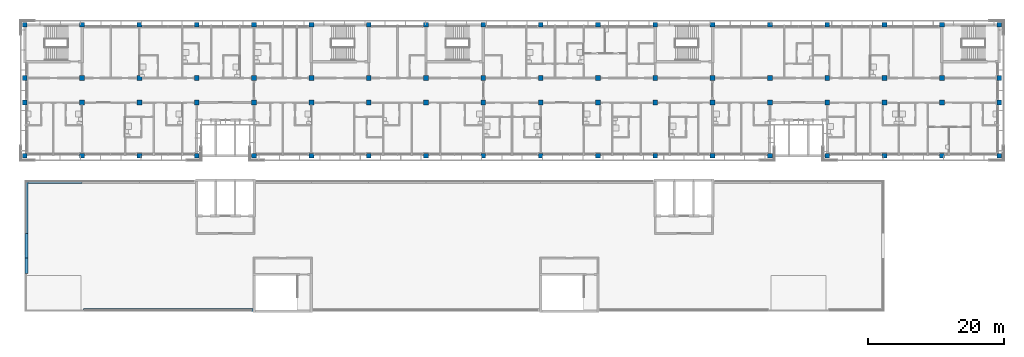
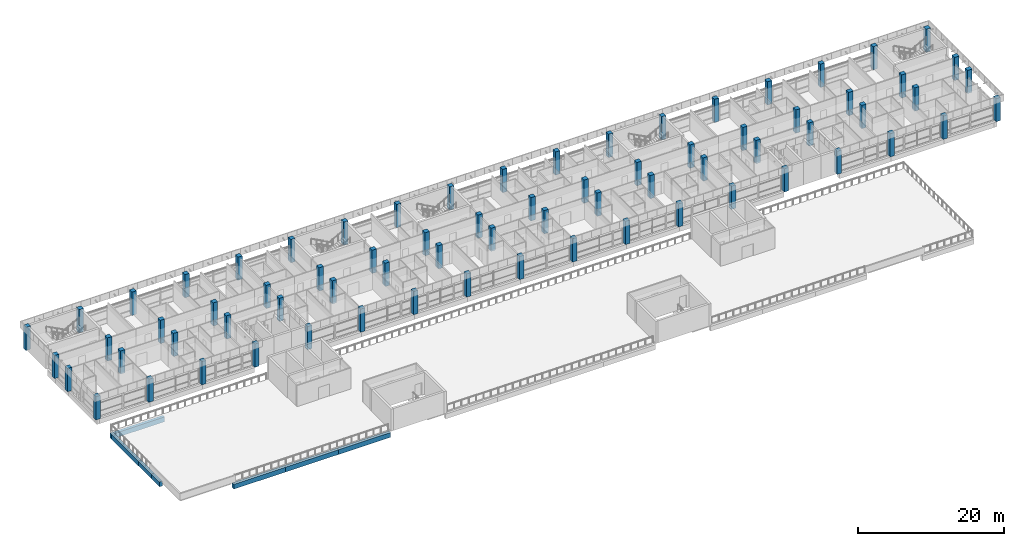
# One storey, part 1 of 46: 72 columns, 7 beams.
"""IFC4 building model written with IfcOpenShell, lengths in metres."""

import ifcopenshell
import ifcopenshell.guid

model = None  # the IFC model being written
_history = None  # IfcOwnerHistory: only IFC2X3 demands one
_inside = {}  # id of a spatial element -> (the spatial element, [elements in it])
_under = {}  # id of a project, library or spatial element -> (it, [spatial elements below it])
_declared = {}  # id of a project -> (the project, [libraries it declares])
_typed = {}  # id of a type object -> (the type object, [elements of that type])
_made_of = {}  # id of a material, layer set ... -> (it, [elements and type objects made of it])


def new_model(schema):
    """Start an empty IFC model of exactly this schema.

    Asked for "IFC4X3", IfcOpenShell would pick the latest addendum, in which some entities
    have other attributes; the version numbers below select the first issue.
    IFC2X3 requires an IfcOwnerHistory on every rooted entity: one is made here for all.
    """
    global model, _history
    if schema == "IFC4X3":
        model = ifcopenshell.file(schema_version=(4, 3, 0, 0))
    else:
        model = ifcopenshell.file(schema=schema)
    _inside.clear()
    _under.clear()
    _declared.clear()
    _typed.clear()
    _made_of.clear()
    _history = None
    if model.schema == "IFC2X3":
        org = make("IfcOrganization", Name="unknown")
        user = make(
            "IfcPersonAndOrganization",
            ThePerson=make("IfcPerson", FamilyName="unknown"),
            TheOrganization=org,
        )
        app = make(
            "IfcApplication",
            ApplicationDeveloper=org,
            Version="unknown",
            ApplicationFullName="unknown",
            ApplicationIdentifier="unknown",
        )
        _history = make(
            "IfcOwnerHistory",
            OwningUser=user,
            OwningApplication=app,
            ChangeAction="ADDED",
            CreationDate=0,
        )
    return model


def make(cls, **values):
    """One entity of the class cls with the attributes given. An attribute that is None is left unset."""
    return model.create_entity(
        cls, **{name: value for name, value in values.items() if value is not None}
    )


def rooted(cls, **values):
    """An entity with a GlobalId (a new one), such as an element, a storey or a relation."""
    return make(cls, GlobalId=ifcopenshell.guid.new(), OwnerHistory=_history, **values)


def si_unit(unit_type, name, prefix=None):
    """IfcSIUnit, for example si_unit("LENGTHUNIT", "METRE", prefix="MILLI")."""
    return make("IfcSIUnit", UnitType=unit_type, Prefix=prefix, Name=name)


def assignment(units):
    """IfcUnitAssignment: the units of a project."""
    return None if units is None else make("IfcUnitAssignment", Units=units)


def point(xyz):
    """IfcCartesianPoint."""
    return None if xyz is None else make("IfcCartesianPoint", Coordinates=xyz)


def direction(xyz):
    """IfcDirection."""
    return None if xyz is None else make("IfcDirection", DirectionRatios=xyz)


def frame(location, z_axis=None, x_axis=None):
    """IfcAxis2Placement3D, a coordinate frame: its origin and axes. An axis left out is left unset."""
    return make(
        "IfcAxis2Placement3D",
        Location=point(location),
        Axis=direction(z_axis),
        RefDirection=direction(x_axis),
    )


def frame_2d(location, x_axis=None):
    """IfcAxis2Placement2D, a coordinate frame in the plane: its origin and x axis."""
    return make(
        "IfcAxis2Placement2D", Location=point(location), RefDirection=direction(x_axis)
    )


def origin():
    """The frame at (0, 0, 0) with its axes left unset."""
    return frame((0.0, 0.0, 0.0))


def origin_2d():
    """The frame at (0, 0) in the plane with its x axis left unset."""
    return frame_2d((0.0, 0.0))


def place(relative_to, where):
    """IfcLocalPlacement: puts the frame where relative to a parent placement (None: the world)."""
    return make(
        "IfcLocalPlacement", PlacementRelTo=relative_to, RelativePlacement=where
    )


def context(
    kind, dimensions, precision=None, world=None, true_north=None, identifier=None
):
    """IfcGeometricRepresentationContext, for example the 3D "Model" context."""
    return make(
        "IfcGeometricRepresentationContext",
        ContextIdentifier=identifier,
        ContextType=kind,
        CoordinateSpaceDimension=dimensions,
        Precision=precision,
        WorldCoordinateSystem=world,
        TrueNorth=true_north,
    )


def subcontext(parent, identifier, kind, view, scale=None):
    """IfcGeometricRepresentationSubContext, for example "Body" below "Model"."""
    return make(
        "IfcGeometricRepresentationSubContext",
        ContextIdentifier=identifier,
        ContextType=kind,
        ParentContext=parent,
        TargetScale=scale,
        TargetView=view,
    )


def project(units=None, contexts=None):
    """IfcProject with its units and contexts."""
    return rooted(
        "IfcProject",
        Name="project",
        RepresentationContexts=contexts,
        UnitsInContext=assignment(units),
    )


def spatial(cls, under=None, at=None, **own):
    """A site, building, storey or space (cls), placed at a placement, below another one or the project."""
    s = rooted(cls, ObjectPlacement=at, **own)
    if under is not None:
        _under.setdefault(under.id(), (under, []))[1].append(s)
    return s


def profile(cls, at=None, kind="AREA", **sizes):
    """A parametric profile (cls). Its sizes go by their IFC names, for example OverallWidth=200.0."""
    return make(cls, ProfileType=kind, Position=at, **sizes)


def rectangle(**sizes):
    """IfcRectangleProfileDef."""
    return profile("IfcRectangleProfileDef", **sizes)


def extrude(swept, where, along, depth):
    """IfcExtrudedAreaSolid: the profile swept, set in the frame where, extruded along a direction by depth."""
    return make(
        "IfcExtrudedAreaSolid",
        SweptArea=swept,
        Position=where,
        ExtrudedDirection=direction(along),
        Depth=depth,
    )


def shape(context_of_items, identifier, shape_type, items):
    """IfcShapeRepresentation: the items that make up one representation, for example the "Body"."""
    return make(
        "IfcShapeRepresentation",
        ContextOfItems=context_of_items,
        RepresentationIdentifier=identifier,
        RepresentationType=shape_type,
        Items=items,
    )


def material(Name=None, Category=None):
    """IfcMaterial."""
    return make("IfcMaterial", Name=Name, Category=Category)


def material_profile(
    of_material, cross_section, Name=None, Category=None, Priority=None
):
    """IfcMaterialProfile: a cross section and its material."""
    return make(
        "IfcMaterialProfile",
        Name=Name,
        Material=of_material,
        Profile=cross_section,
        Priority=Priority,
        Category=Category,
    )


def profile_set(profiles, Name=None, composite=None):
    """IfcMaterialProfileSet."""
    return make(
        "IfcMaterialProfileSet",
        Name=Name,
        MaterialProfiles=profiles,
        CompositeProfile=composite,
    )


def made_of(thing, what):
    """Note that an element or type object is made of a material, layer set ...; save() writes the relation."""
    if what is not None:
        _made_of.setdefault(what.id(), (what, []))[1].append(thing)
    return thing


def type_object(cls, material=None, **own):
    """A type object (cls), such as IfcWallType, which elements share."""
    return made_of(rooted(cls, **own), material)


def element(
    cls,
    number,
    at=None,
    inside=None,
    cuts=None,
    type_object=None,
    material=None,
    context=None,
    identifier="Body",
    shape_type=None,
    held_by="IfcProductDefinitionShape",
    body=None,
    shapes=None,
    **own,
):
    """One element of the class cls, such as IfcWall. Its Tag is "e" and its number.

    at: its placement. inside: the storey or other place that contains it. cuts: it is an
    opening in that element (IfcRelVoidsElement). A single representation is given by context,
    identifier, shape_type and body (its items); several are given by shapes. held_by: the class
    of the entity that holds the representations. save() writes the other relations.
    """
    e = rooted(cls, Tag="e%d" % number, ObjectPlacement=at, **own)
    if body is not None:
        shapes = [shape(context, identifier, shape_type, body)]
    if shapes is not None:
        e.Representation = make(held_by, Representations=shapes)
    if inside is not None:
        _inside.setdefault(inside.id(), (inside, []))[1].append(e)
    if cuts is not None:
        rooted(
            "IfcRelVoidsElement", RelatingBuildingElement=cuts, RelatedOpeningElement=e
        )
    if type_object is not None:
        _typed.setdefault(type_object.id(), (type_object, []))[1].append(e)
    return made_of(e, material)


def aggregate(whole, parts):
    """IfcRelAggregates: a whole, such as a stair, and the parts it consists of."""
    return rooted("IfcRelAggregates", RelatingObject=whole, RelatedObjects=parts)


def save(model, path):
    """Write the relations noted so far, then the file.

    IfcRelAggregates (storeys below a building ...), IfcRelContainedInSpatialStructure (elements
    in a storey), IfcRelDefinesByType, IfcRelAssociatesMaterial and IfcRelDeclares: one each for
    every whole, place, type object, material and project.
    """
    for whole, parts in _under.values():
        aggregate(whole, parts)
    for where, things in _inside.values():
        rooted(
            "IfcRelContainedInSpatialStructure",
            RelatedElements=things,
            RelatingStructure=where,
        )
    for kind, things in _typed.values():
        rooted("IfcRelDefinesByType", RelatedObjects=things, RelatingType=kind)
    for what, things in _made_of.values():
        rooted("IfcRelAssociatesMaterial", RelatedObjects=things, RelatingMaterial=what)
    for by, libraries in _declared.values():
        rooted("IfcRelDeclares", RelatingContext=by, RelatedDefinitions=libraries)
    model.write(path)


model = new_model("IFC4")

# Units and contexts
model_context = context("Model", 3, precision=1e-05, world=origin(), true_north=direction((0.0, 1.0)))
body_context = subcontext(model_context, "Body", "Model", "MODEL_VIEW")
ifc_project = project(units=[si_unit("LENGTHUNIT", "METRE"), si_unit("AREAUNIT", "SQUARE_METRE"), si_unit("VOLUMEUNIT", "CUBIC_METRE"), si_unit("PLANEANGLEUNIT", "RADIAN"), si_unit("MASSUNIT", "GRAM", prefix="KILO")], contexts=[model_context])

# Site, building, storey
site_placement = place(None, origin())
site = spatial("IfcSite", under=ifc_project, at=site_placement, CompositionType="ELEMENT")
building_placement = place(site_placement, origin())
building = spatial("IfcBuilding", under=site, at=building_placement, Name="Bougainvillea Quay General Hospital", CompositionType="ELEMENT")
storey_placement = place(building_placement, frame((0.0, 0.0, 28.800048828125)))
storey = spatial("IfcBuildingStorey", under=building, at=storey_placement, Name="L06", CompositionType="ELEMENT", Elevation=28.800048828125)

# Columns
ifc_material = material(Name="Concrete C40", Category="concrete")
ifc_material_profile_1 = material_profile(ifc_material, rectangle(XDim=0.699951171875, YDim=0.699951171875, at=origin_2d()))
ifc_profile_set_1 = profile_set([ifc_material_profile_1], Name="Concrete C40")
column_type = type_object("IfcColumnType", Name="RC COL 700x700 C40", PredefinedType="COLUMN", material=ifc_profile_set_1)
for number, where, z_axis, x_axis, name in (
    (1, (42.0, 140.39990234375, 0.0), (0.0, 0.0, 1.0), (1.0, 0.0, 0.0), "Column C-V4-004 L06"),
    (2, (42.0, 148.199951171875, 0.0), (0.0, 0.0, 1.0), (1.0, 0.0, 0.0), "Column C-V4-005 L06"),
    (3, (42.0, 151.800048828125, 0.0), (0.0, 0.0, 1.0), (1.0, 0.0, 0.0), "Column C-V4-006 L06"),
    (4, (42.0, 159.60009765625, 0.0), (0.0, 0.0, 1.0), (1.0, 0.0, 0.0), "Column C-V4-007 L06"),
    (5, (50.39990234375, 140.39990234375, 0.0), (0.0, 0.0, 1.0), (1.0, 0.0, 0.0), "Column C-V4-014 L06"),
    (6, (50.39990234375, 148.199951171875, 0.0), (0.0, 0.0, 1.0), (1.0, 0.0, 0.0), "Column C-V4-015 L06"),
    (7, (50.39990234375, 151.800048828125, 0.0), (0.0, 0.0, 1.0), (1.0, 0.0, 0.0), "Column C-V4-016 L06"),
    (8, (50.39990234375, 159.60009765625, 0.0), (0.0, 0.0, 1.0), (1.0, 0.0, 0.0), "Column C-V4-017 L06"),
    (9, (58.800048828125, 140.39990234375, 0.0), (0.0, 0.0, 1.0), (1.0, 0.0, 0.0), "Column C-V4-024 L06"),
    (10, (58.800048828125, 148.199951171875, 0.0), (0.0, 0.0, 1.0), (1.0, 0.0, 0.0), "Column C-V4-025 L06"),
    (11, (58.800048828125, 151.800048828125, 0.0), (0.0, 0.0, 1.0), (1.0, 0.0, 0.0), "Column C-V4-026 L06"),
    (12, (58.800048828125, 159.60009765625, 0.0), (0.0, 0.0, 1.0), (1.0, 0.0, 0.0), "Column C-V4-027 L06"),
    (13, (67.199951171875, 140.39990234375, 0.0), (0.0, 0.0, 1.0), (1.0, 0.0, 0.0), "Column C-V4-034 L06"),
    (14, (67.199951171875, 148.199951171875, 0.0), (0.0, 0.0, 1.0), (1.0, 0.0, 0.0), "Column C-V4-035 L06"),
    (15, (67.199951171875, 151.800048828125, 0.0), (0.0, 0.0, 1.0), (1.0, 0.0, 0.0), "Column C-V4-036 L06"),
    (16, (67.199951171875, 159.60009765625, 0.0), (0.0, 0.0, 1.0), (1.0, 0.0, 0.0), "Column C-V4-037 L06"),
    (17, (75.60009765625, 140.39990234375, 0.0), (0.0, 0.0, 1.0), (1.0, 0.0, 0.0), "Column C-V4-044 L06"),
    (18, (75.60009765625, 148.199951171875, 0.0), (0.0, 0.0, 1.0), (1.0, 0.0, 0.0), "Column C-V4-045 L06"),
    (19, (75.60009765625, 151.800048828125, 0.0), (0.0, 0.0, 1.0), (1.0, 0.0, 0.0), "Column C-V4-046 L06"),
    (20, (75.60009765625, 159.60009765625, 0.0), (0.0, 0.0, 1.0), (1.0, 0.0, 0.0), "Column C-V4-047 L06"),
    (21, (84.0, 140.39990234375, 0.0), (0.0, 0.0, 1.0), (1.0, 0.0, 0.0), "Column C-V4-054 L06"),
    (22, (84.0, 148.199951171875, 0.0), (0.0, 0.0, 1.0), (1.0, 0.0, 0.0), "Column C-V4-055 L06"),
    (23, (84.0, 151.800048828125, 0.0), (0.0, 0.0, 1.0), (1.0, 0.0, 0.0), "Column C-V4-056 L06"),
    (24, (84.0, 159.60009765625, 0.0), (0.0, 0.0, 1.0), (1.0, 0.0, 0.0), "Column C-V4-057 L06"),
    (25, (92.39990234375, 140.39990234375, 0.0), (0.0, 0.0, 1.0), (1.0, 0.0, 0.0), "Column C-V4-064 L06"),
    (26, (92.39990234375, 148.199951171875, 0.0), (0.0, 0.0, 1.0), (1.0, 0.0, 0.0), "Column C-V4-065 L06"),
    (27, (92.39990234375, 151.800048828125, 0.0), (0.0, 0.0, 1.0), (1.0, 0.0, 0.0), "Column C-V4-066 L06"),
    (28, (92.39990234375, 159.60009765625, 0.0), (0.0, 0.0, 1.0), (1.0, 0.0, 0.0), "Column C-V4-067 L06"),
    (29, (100.800048828125, 140.39990234375, 0.0), (0.0, 0.0, 1.0), (1.0, 0.0, 0.0), "Column C-V4-074 L06"),
    (30, (100.800048828125, 148.199951171875, 0.0), (0.0, 0.0, 1.0), (1.0, 0.0, 0.0), "Column C-V4-075 L06"),
    (31, (100.800048828125, 151.800048828125, 0.0), (0.0, 0.0, 1.0), (1.0, 0.0, 0.0), "Column C-V4-076 L06"),
    (32, (100.800048828125, 159.60009765625, 0.0), (0.0, 0.0, 1.0), (1.0, 0.0, 0.0), "Column C-V4-077 L06"),
    (33, (109.199951171875, 140.39990234375, 0.0), (0.0, 0.0, 1.0), (1.0, 0.0, 0.0), "Column C-V4-084 L06"),
    (34, (109.199951171875, 148.199951171875, 0.0), (0.0, 0.0, 1.0), (1.0, 0.0, 0.0), "Column C-V4-085 L06"),
    (35, (109.199951171875, 151.800048828125, 0.0), (0.0, 0.0, 1.0), (1.0, 0.0, 0.0), "Column C-V4-086 L06"),
    (36, (109.199951171875, 159.60009765625, 0.0), (0.0, 0.0, 1.0), (1.0, 0.0, 0.0), "Column C-V4-087 L06"),
    (37, (117.60009765625, 140.39990234375, 0.0), (0.0, 0.0, 1.0), (1.0, 0.0, 0.0), "Column C-V4-094 L06"),
    (38, (117.60009765625, 148.199951171875, 0.0), (0.0, 0.0, 1.0), (1.0, 0.0, 0.0), "Column C-V4-095 L06"),
    (39, (117.60009765625, 151.800048828125, 0.0), (0.0, 0.0, 1.0), (1.0, 0.0, 0.0), "Column C-V4-096 L06"),
    (40, (117.60009765625, 159.60009765625, 0.0), (0.0, 0.0, 1.0), (1.0, 0.0, 0.0), "Column C-V4-097 L06"),
    (41, (126.0, 140.39990234375, 0.0), (0.0, 0.0, 1.0), (1.0, 0.0, 0.0), "Column C-V4-104 L06"),
    (42, (126.0, 148.199951171875, 0.0), (0.0, 0.0, 1.0), (1.0, 0.0, 0.0), "Column C-V4-105 L06"),
    (43, (126.0, 151.800048828125, 0.0), (0.0, 0.0, 1.0), (1.0, 0.0, 0.0), "Column C-V4-106 L06"),
    (44, (126.0, 159.60009765625, 0.0), (0.0, 0.0, 1.0), (1.0, 0.0, 0.0), "Column C-V4-107 L06"),
    (45, (134.39990234375, 140.39990234375, 0.0), (0.0, 0.0, 1.0), (1.0, 0.0, 0.0), "Column C-V4-114 L06"),
    (46, (134.39990234375, 148.199951171875, 0.0), (0.0, 0.0, 1.0), (1.0, 0.0, 0.0), "Column C-V4-115 L06"),
    (47, (134.39990234375, 151.800048828125, 0.0), (0.0, 0.0, 1.0), (1.0, 0.0, 0.0), "Column C-V4-116 L06"),
    (48, (134.39990234375, 159.60009765625, 0.0), (0.0, 0.0, 1.0), (1.0, 0.0, 0.0), "Column C-V4-117 L06"),
    (49, (142.800048828125, 140.39990234375, 0.0), (0.0, 0.0, 1.0), (1.0, 0.0, 0.0), "Column C-V4-124 L06"),
    (50, (142.800048828125, 148.199951171875, 0.0), (0.0, 0.0, 1.0), (1.0, 0.0, 0.0), "Column C-V4-125 L06"),
    (51, (142.800048828125, 151.800048828125, 0.0), (0.0, 0.0, 1.0), (1.0, 0.0, 0.0), "Column C-V4-126 L06"),
    (52, (142.800048828125, 159.60009765625, 0.0), (0.0, 0.0, 1.0), (1.0, 0.0, 0.0), "Column C-V4-127 L06"),
    (53, (151.199951171875, 140.39990234375, 0.0), (0.0, 0.0, 1.0), (1.0, 0.0, 0.0), "Column C-V4-134 L06"),
    (54, (151.199951171875, 148.199951171875, 0.0), (0.0, 0.0, 1.0), (1.0, 0.0, 0.0), "Column C-V4-135 L06"),
    (55, (151.199951171875, 151.800048828125, 0.0), (0.0, 0.0, 1.0), (1.0, 0.0, 0.0), "Column C-V4-136 L06"),
    (56, (151.199951171875, 159.60009765625, 0.0), (0.0, 0.0, 1.0), (1.0, 0.0, 0.0), "Column C-V4-137 L06"),
    (57, (159.60009765625, 140.39990234375, 0.0), (0.0, 0.0, 1.0), (1.0, 0.0, 0.0), "Column C-V4-144 L06"),
    (58, (159.60009765625, 148.199951171875, 0.0), (0.0, 0.0, 1.0), (1.0, 0.0, 0.0), "Column C-V4-145 L06"),
    (59, (159.60009765625, 151.800048828125, 0.0), (0.0, 0.0, 1.0), (1.0, 0.0, 0.0), "Column C-V4-146 L06"),
    (60, (159.60009765625, 159.60009765625, 0.0), (0.0, 0.0, 1.0), (1.0, 0.0, 0.0), "Column C-V4-147 L06"),
    (61, (168.0, 140.39990234375, 0.0), (0.0, 0.0, 1.0), (1.0, 0.0, 0.0), "Column C-V4-154 L06"),
    (62, (168.0, 148.199951171875, 0.0), (0.0, 0.0, 1.0), (1.0, 0.0, 0.0), "Column C-V4-155 L06"),
    (63, (168.0, 151.800048828125, 0.0), (0.0, 0.0, 1.0), (1.0, 0.0, 0.0), "Column C-V4-156 L06"),
    (64, (168.0, 159.60009765625, 0.0), (0.0, 0.0, 1.0), (1.0, 0.0, 0.0), "Column C-V4-157 L06"),
    (65, (176.39990234375, 140.39990234375, 0.0), (0.0, 0.0, 1.0), (1.0, 0.0, 0.0), "Column C-V4-164 L06"),
    (66, (176.39990234375, 148.199951171875, 0.0), (0.0, 0.0, 1.0), (1.0, 0.0, 0.0), "Column C-V4-165 L06"),
    (67, (176.39990234375, 151.800048828125, 0.0), (0.0, 0.0, 1.0), (1.0, 0.0, 0.0), "Column C-V4-166 L06"),
    (68, (176.39990234375, 159.60009765625, 0.0), (0.0, 0.0, 1.0), (1.0, 0.0, 0.0), "Column C-V4-167 L06"),
    (69, (184.800048828125, 140.39990234375, 0.0), (0.0, 0.0, 1.0), (1.0, 0.0, 0.0), "Column C-V4-174 L06"),
    (70, (184.800048828125, 148.199951171875, 0.0), (0.0, 0.0, 1.0), (1.0, 0.0, 0.0), "Column C-V4-175 L06"),
    (71, (184.800048828125, 151.800048828125, 0.0), (0.0, 0.0, 1.0), (1.0, 0.0, 0.0), "Column C-V4-176 L06"),
    (72, (184.800048828125, 159.60009765625, 0.0), (0.0, 0.0, 1.0), (1.0, 0.0, 0.0), "Column C-V4-177 L06"),
):
    element("IfcColumn", number, at=place(storey_placement, frame(where, z_axis=z_axis, x_axis=x_axis)), inside=storey, type_object=column_type, Name=name, PredefinedType="COLUMN", context=body_context, shape_type="SweptSolid", body=[
        extrude(rectangle(XDim=0.699951171875, YDim=0.699951171875, at=origin_2d()), origin(), (0.0, 0.0, 1.0), 3.89990234375),
    ])

# Beams
ifc_material_profile_2 = material_profile(ifc_material, rectangle(XDim=0.449951171875, YDim=0.800048828125, at=origin_2d()))
ifc_profile_set_2 = profile_set([ifc_material_profile_2], Name="Concrete C40")
beam_type = type_object("IfcBeamType", Name="RC BEAM 450x800 C40", PredefinedType="BEAM", material=ifc_profile_set_2)
beam_1_placement = place(storey_placement, frame((50.39990234375, 136.574951171875, -0.699951171875), z_axis=(-1.0, 0.0, 0.0), x_axis=(0.0, -1.0, 0.0)))
element("IfcBeam", 73, at=beam_1_placement, inside=storey, type_object=beam_type, Name="Edge beam L06", PredefinedType="BEAM", context=body_context, shape_type="SweptSolid", body=[
    extrude(rectangle(XDim=0.449951171875, YDim=0.800048828125, at=origin_2d()), origin(), (0.0, 0.0, 1.0), 8.39990234375),
])
beam_2_placement = place(storey_placement, frame((42.22509765625, 136.800048828125, -0.699951171875), z_axis=(0.0, -1.0, 0.0), x_axis=(1.0, 0.0, 0.0)))
element("IfcBeam", 74, at=beam_2_placement, inside=storey, type_object=beam_type, Name="Edge beam L06", PredefinedType="BEAM", context=body_context, shape_type="SweptSolid", body=[
    extrude(rectangle(XDim=0.449951171875, YDim=0.800048828125, at=origin_2d()), origin(), (0.0, 0.0, 1.0), 7.800048828125),
])
beam_3_placement = place(storey_placement, frame((42.22509765625, 129.0, -0.699951171875), z_axis=(0.0, -1.0, 0.0), x_axis=(1.0, 0.0, 0.0)))
element("IfcBeam", 75, at=beam_3_placement, inside=storey, type_object=beam_type, Name="Edge beam L06", PredefinedType="BEAM", context=body_context, shape_type="SweptSolid", body=[
    extrude(rectangle(XDim=0.449951171875, YDim=0.800048828125, at=origin_2d()), origin(), (0.0, 0.0, 1.0), 3.60009765625),
])
beam_4_placement = place(storey_placement, frame((42.22509765625, 125.39990234375, -0.699951171875), z_axis=(0.0, -1.0, 0.0), x_axis=(1.0, 0.0, 0.0)))
element("IfcBeam", 76, at=beam_4_placement, inside=storey, type_object=beam_type, Name="Edge beam L06", PredefinedType="BEAM", context=body_context, shape_type="SweptSolid", body=[
    extrude(rectangle(XDim=0.449951171875, YDim=0.800048828125, at=origin_2d()), origin(), (0.0, 0.0, 1.0), 2.224853515625),
])
beam_5_placement = place(storey_placement, frame((50.574951171875, 117.824951171875, -0.699951171875), z_axis=(1.0, 0.0, 0.0), x_axis=(0.0, 1.0, 0.0)))
element("IfcBeam", 77, at=beam_5_placement, inside=storey, type_object=beam_type, Name="Edge beam L06", PredefinedType="BEAM", context=body_context, shape_type="SweptSolid", body=[
    extrude(rectangle(XDim=0.449951171875, YDim=0.800048828125, at=origin_2d()), origin(), (0.0, 0.0, 1.0), 8.22509765625),
])
beam_6_placement = place(storey_placement, frame((58.800048828125, 117.824951171875, -0.699951171875), z_axis=(1.0, 0.0, 0.0), x_axis=(0.0, 1.0, 0.0)))
element("IfcBeam", 78, at=beam_6_placement, inside=storey, type_object=beam_type, Name="Edge beam L06", PredefinedType="BEAM", context=body_context, shape_type="SweptSolid", body=[
    extrude(rectangle(XDim=0.449951171875, YDim=0.800048828125, at=origin_2d()), origin(), (0.0, 0.0, 1.0), 8.39990234375),
])
beam_7_placement = place(storey_placement, frame((67.199951171875, 117.824951171875, -0.699951171875), z_axis=(1.0, 0.0, 0.0), x_axis=(0.0, 1.0, 0.0)))
element("IfcBeam", 79, at=beam_7_placement, inside=storey, type_object=beam_type, Name="Edge beam L06", PredefinedType="BEAM", context=body_context, shape_type="SweptSolid", body=[
    extrude(rectangle(XDim=0.449951171875, YDim=0.800048828125, at=origin_2d()), origin(), (0.0, 0.0, 1.0), 8.22509765625),
])

save(model, "model.ifc")
